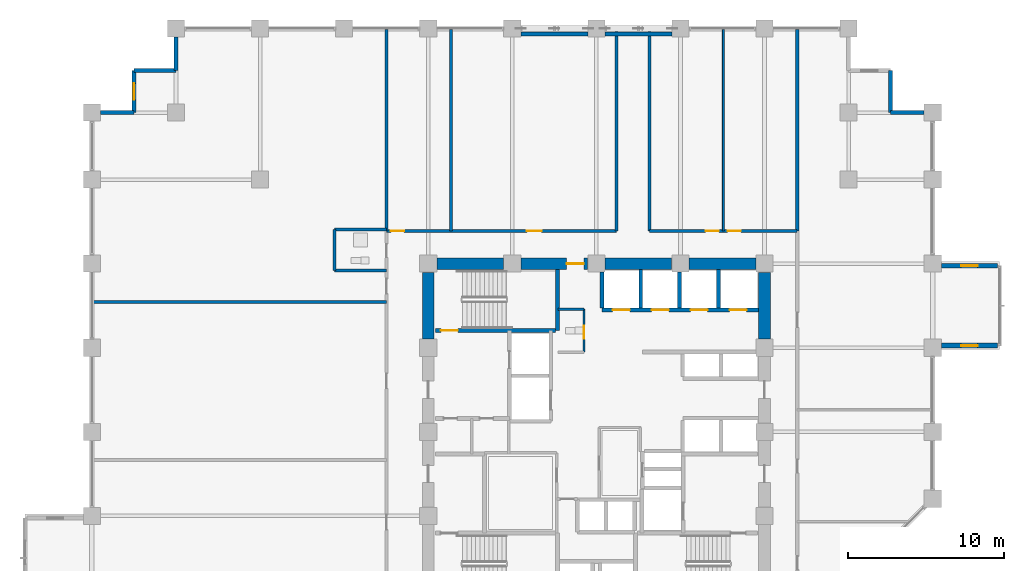
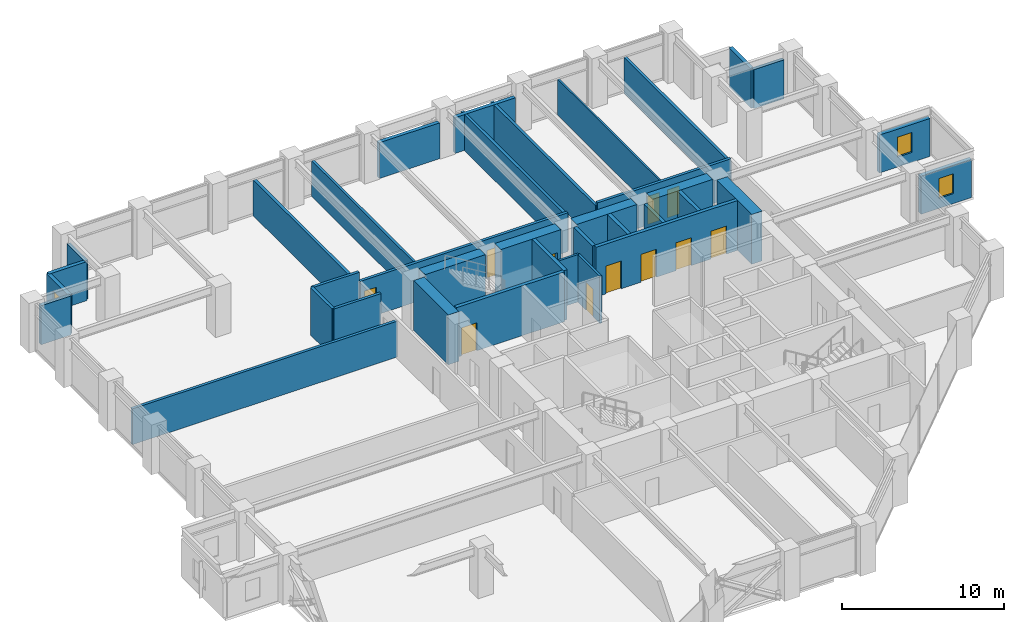
# One storey, part 24 of 29: 37 walls, 11 doors, 3 windows, 14 openings.
"""IFC4 building model written with IfcOpenShell, lengths in metres."""

import ifcopenshell
import ifcopenshell.guid

model = None  # the IFC model being written
_history = None  # IfcOwnerHistory: only IFC2X3 demands one
_inside = {}  # id of a spatial element -> (the spatial element, [elements in it])
_under = {}  # id of a project, library or spatial element -> (it, [spatial elements below it])
_declared = {}  # id of a project -> (the project, [libraries it declares])
_typed = {}  # id of a type object -> (the type object, [elements of that type])
_made_of = {}  # id of a material, layer set ... -> (it, [elements and type objects made of it])


def new_model(schema):
    """Start an empty IFC model of exactly this schema.

    Asked for "IFC4X3", IfcOpenShell would pick the latest addendum, in which some entities
    have other attributes; the version numbers below select the first issue.
    IFC2X3 requires an IfcOwnerHistory on every rooted entity: one is made here for all.
    """
    global model, _history
    if schema == "IFC4X3":
        model = ifcopenshell.file(schema_version=(4, 3, 0, 0))
    else:
        model = ifcopenshell.file(schema=schema)
    _inside.clear()
    _under.clear()
    _declared.clear()
    _typed.clear()
    _made_of.clear()
    _history = None
    if model.schema == "IFC2X3":
        org = make("IfcOrganization", Name="unknown")
        user = make(
            "IfcPersonAndOrganization",
            ThePerson=make("IfcPerson", FamilyName="unknown"),
            TheOrganization=org,
        )
        app = make(
            "IfcApplication",
            ApplicationDeveloper=org,
            Version="unknown",
            ApplicationFullName="unknown",
            ApplicationIdentifier="unknown",
        )
        _history = make(
            "IfcOwnerHistory",
            OwningUser=user,
            OwningApplication=app,
            ChangeAction="ADDED",
            CreationDate=0,
        )
    return model


def make(cls, **values):
    """One entity of the class cls with the attributes given. An attribute that is None is left unset."""
    return model.create_entity(
        cls, **{name: value for name, value in values.items() if value is not None}
    )


def rooted(cls, **values):
    """An entity with a GlobalId (a new one), such as an element, a storey or a relation."""
    return make(cls, GlobalId=ifcopenshell.guid.new(), OwnerHistory=_history, **values)


def si_unit(unit_type, name, prefix=None):
    """IfcSIUnit, for example si_unit("LENGTHUNIT", "METRE", prefix="MILLI")."""
    return make("IfcSIUnit", UnitType=unit_type, Prefix=prefix, Name=name)


def assignment(units):
    """IfcUnitAssignment: the units of a project."""
    return None if units is None else make("IfcUnitAssignment", Units=units)


def point(xyz):
    """IfcCartesianPoint."""
    return None if xyz is None else make("IfcCartesianPoint", Coordinates=xyz)


def direction(xyz):
    """IfcDirection."""
    return None if xyz is None else make("IfcDirection", DirectionRatios=xyz)


def frame(location, z_axis=None, x_axis=None):
    """IfcAxis2Placement3D, a coordinate frame: its origin and axes. An axis left out is left unset."""
    return make(
        "IfcAxis2Placement3D",
        Location=point(location),
        Axis=direction(z_axis),
        RefDirection=direction(x_axis),
    )


def frame_2d(location, x_axis=None):
    """IfcAxis2Placement2D, a coordinate frame in the plane: its origin and x axis."""
    return make(
        "IfcAxis2Placement2D", Location=point(location), RefDirection=direction(x_axis)
    )


def origin():
    """The frame at (0, 0, 0) with its axes left unset."""
    return frame((0.0, 0.0, 0.0))


def place(relative_to, where):
    """IfcLocalPlacement: puts the frame where relative to a parent placement (None: the world)."""
    return make(
        "IfcLocalPlacement", PlacementRelTo=relative_to, RelativePlacement=where
    )


def context(
    kind, dimensions, precision=None, world=None, true_north=None, identifier=None
):
    """IfcGeometricRepresentationContext, for example the 3D "Model" context."""
    return make(
        "IfcGeometricRepresentationContext",
        ContextIdentifier=identifier,
        ContextType=kind,
        CoordinateSpaceDimension=dimensions,
        Precision=precision,
        WorldCoordinateSystem=world,
        TrueNorth=true_north,
    )


def subcontext(parent, identifier, kind, view, scale=None):
    """IfcGeometricRepresentationSubContext, for example "Body" below "Model"."""
    return make(
        "IfcGeometricRepresentationSubContext",
        ContextIdentifier=identifier,
        ContextType=kind,
        ParentContext=parent,
        TargetScale=scale,
        TargetView=view,
    )


def project(units=None, contexts=None):
    """IfcProject with its units and contexts."""
    return rooted(
        "IfcProject",
        Name="project",
        RepresentationContexts=contexts,
        UnitsInContext=assignment(units),
    )


def spatial(cls, under=None, at=None, **own):
    """A site, building, storey or space (cls), placed at a placement, below another one or the project."""
    s = rooted(cls, ObjectPlacement=at, **own)
    if under is not None:
        _under.setdefault(under.id(), (under, []))[1].append(s)
    return s


def profile(cls, at=None, kind="AREA", **sizes):
    """A parametric profile (cls). Its sizes go by their IFC names, for example OverallWidth=200.0."""
    return make(cls, ProfileType=kind, Position=at, **sizes)


def rectangle(**sizes):
    """IfcRectangleProfileDef."""
    return profile("IfcRectangleProfileDef", **sizes)


def extrude(swept, where, along, depth):
    """IfcExtrudedAreaSolid: the profile swept, set in the frame where, extruded along a direction by depth."""
    return make(
        "IfcExtrudedAreaSolid",
        SweptArea=swept,
        Position=where,
        ExtrudedDirection=direction(along),
        Depth=depth,
    )


def shape(context_of_items, identifier, shape_type, items):
    """IfcShapeRepresentation: the items that make up one representation, for example the "Body"."""
    return make(
        "IfcShapeRepresentation",
        ContextOfItems=context_of_items,
        RepresentationIdentifier=identifier,
        RepresentationType=shape_type,
        Items=items,
    )


def material(Name=None, Category=None):
    """IfcMaterial."""
    return make("IfcMaterial", Name=Name, Category=Category)


def layer(
    of_material, thickness, ventilated=None, Name=None, Category=None, Priority=None
):
    """IfcMaterialLayer: one layer of a wall or slab, of a material (None: an air gap)."""
    return make(
        "IfcMaterialLayer",
        Material=of_material,
        LayerThickness=thickness,
        IsVentilated=ventilated,
        Name=Name,
        Category=Category,
        Priority=Priority,
    )


def layer_set(layers, Name=None):
    """IfcMaterialLayerSet."""
    return make("IfcMaterialLayerSet", MaterialLayers=layers, LayerSetName=Name)


def made_of(thing, what):
    """Note that an element or type object is made of a material, layer set ...; save() writes the relation."""
    if what is not None:
        _made_of.setdefault(what.id(), (what, []))[1].append(thing)
    return thing


def type_object(cls, material=None, **own):
    """A type object (cls), such as IfcWallType, which elements share."""
    return made_of(rooted(cls, **own), material)


def element(
    cls,
    number,
    at=None,
    inside=None,
    cuts=None,
    type_object=None,
    material=None,
    context=None,
    identifier="Body",
    shape_type=None,
    held_by="IfcProductDefinitionShape",
    body=None,
    shapes=None,
    **own,
):
    """One element of the class cls, such as IfcWall. Its Tag is "e" and its number.

    at: its placement. inside: the storey or other place that contains it. cuts: it is an
    opening in that element (IfcRelVoidsElement). A single representation is given by context,
    identifier, shape_type and body (its items); several are given by shapes. held_by: the class
    of the entity that holds the representations. save() writes the other relations.
    """
    e = rooted(cls, Tag="e%d" % number, ObjectPlacement=at, **own)
    if body is not None:
        shapes = [shape(context, identifier, shape_type, body)]
    if shapes is not None:
        e.Representation = make(held_by, Representations=shapes)
    if inside is not None:
        _inside.setdefault(inside.id(), (inside, []))[1].append(e)
    if cuts is not None:
        rooted(
            "IfcRelVoidsElement", RelatingBuildingElement=cuts, RelatedOpeningElement=e
        )
    if type_object is not None:
        _typed.setdefault(type_object.id(), (type_object, []))[1].append(e)
    return made_of(e, material)


def fill(opening, filler):
    """IfcRelFillsElement: the door or window that sits in an opening."""
    return rooted(
        "IfcRelFillsElement",
        RelatingOpeningElement=opening,
        RelatedBuildingElement=filler,
    )


def aggregate(whole, parts):
    """IfcRelAggregates: a whole, such as a stair, and the parts it consists of."""
    return rooted("IfcRelAggregates", RelatingObject=whole, RelatedObjects=parts)


def save(model, path):
    """Write the relations noted so far, then the file.

    IfcRelAggregates (storeys below a building ...), IfcRelContainedInSpatialStructure (elements
    in a storey), IfcRelDefinesByType, IfcRelAssociatesMaterial and IfcRelDeclares: one each for
    every whole, place, type object, material and project.
    """
    for whole, parts in _under.values():
        aggregate(whole, parts)
    for where, things in _inside.values():
        rooted(
            "IfcRelContainedInSpatialStructure",
            RelatedElements=things,
            RelatingStructure=where,
        )
    for kind, things in _typed.values():
        rooted("IfcRelDefinesByType", RelatedObjects=things, RelatingType=kind)
    for what, things in _made_of.values():
        rooted("IfcRelAssociatesMaterial", RelatedObjects=things, RelatingMaterial=what)
    for by, libraries in _declared.values():
        rooted("IfcRelDeclares", RelatingContext=by, RelatedDefinitions=libraries)
    model.write(path)


model = new_model("IFC4")

# Units and contexts
model_context = context("Model", 3, precision=1e-05, world=origin(), true_north=direction((0.0, 1.0)))
body_context = subcontext(model_context, "Body", "Model", "MODEL_VIEW")
ifc_project = project(units=[si_unit("LENGTHUNIT", "METRE"), si_unit("AREAUNIT", "SQUARE_METRE"), si_unit("VOLUMEUNIT", "CUBIC_METRE"), si_unit("PLANEANGLEUNIT", "RADIAN"), si_unit("MASSUNIT", "GRAM", prefix="KILO")], contexts=[model_context])

# Site, building, storey
site_placement = place(None, origin())
site = spatial("IfcSite", under=ifc_project, at=site_placement, CompositionType="ELEMENT")
building_placement = place(site_placement, origin())
building = spatial("IfcBuilding", under=site, at=building_placement, Name="Surkhivell Harbour Commons", CompositionType="ELEMENT")
storey_placement = place(building_placement, frame((0.0, 0.0, 87.0)))
storey = spatial("IfcBuildingStorey", under=building, at=storey_placement, Name="L22", CompositionType="ELEMENT", Elevation=87.0)

# Wall
ifc_material_1 = material(Name="Concrete C60/75", Category="concrete")
ifc_layer_1 = layer(ifc_material_1, 0.75)
ifc_layer_set_1 = layer_set([ifc_layer_1], Name="Concrete C60/75")
wall_type_1 = type_object("IfcWallType", Name="WAL-CORE-750", PredefinedType="SHEAR", material=ifc_layer_set_1)
wall_1_placement = place(storey_placement, frame((-10.239990234375, 10.800048828125, 0.0), z_axis=(0.0, 0.0, 1.0), x_axis=(1.0, 0.0, 0.0)))
element("IfcWall", 1, at=wall_1_placement, inside=storey, type_object=wall_type_1, Name="L22 Core Shear Wall North 1", PredefinedType="SHEAR", context=body_context, shape_type="SweptSolid", body=[
    extrude(rectangle(XDim=4.280029296875, YDim=0.75, at=frame_2d((2.14013671875, 0.0))), origin(), (0.0, 0.0, 1.0), 3.75),
])

# Wall, opening, door
wall_2_placement = place(storey_placement, frame((-4.840087890625, 10.800048828125, 0.0), z_axis=(0.0, 0.0, 1.0), x_axis=(1.0, 0.0, 0.0)))
wall_2 = element("IfcWall", 2, at=wall_2_placement, inside=storey, type_object=wall_type_1, Name="L22 Core Shear Wall North 2", PredefinedType="SHEAR", context=body_context, shape_type="SweptSolid", body=[
    extrude(rectangle(XDim=4.280029296875, YDim=0.75, at=frame_2d((2.14013671875, 0.0))), origin(), (0.0, 0.0, 1.0), 3.75),
])
opening_1_placement = place(wall_2_placement, frame((2.929931640625, 0.0, 0.0)))
opening_1 = element("IfcOpeningElement", 3, at=opening_1_placement, cuts=wall_2, Name="Opening ID-2", PredefinedType="OPENING", context=body_context, shape_type="SweptSolid", body=[
    extrude(rectangle(XDim=1.10009765625, YDim=2.10009765625, at=frame_2d((0.550048828125, 1.050048828125))), frame((0.0, 0.385009765625, 0.0), z_axis=(0.0, -1.0, 0.0), x_axis=(1.0, 0.0, 0.0)), (0.0, 0.0, 1.0), 0.77001953125),
])
ifc_material_2 = material(Name="Hardwood-veneered fire-rated door leaf", Category="wood")
door_type_1 = type_object("IfcDoorType", Name="DOR-FD60-1100", OperationType="NOTDEFINED", PredefinedType="DOOR", material=ifc_material_2)
door_1_placement = place(opening_1_placement, origin())
door_1 = element("IfcDoor", 4, at=door_1_placement, inside=storey, type_object=door_type_1, Name="L22 Central Core Lift Hall North Corridor Door", OperationType="SINGLE_SWING_LEFT", OverallHeight=2.10009765625, OverallWidth=1.10009765625, PredefinedType="DOOR", context=body_context, shape_type="SweptSolid", body=[
    extrude(rectangle(XDim=1.10009765625, YDim=2.10009765625, at=frame_2d((0.550048828125, 1.050048828125))), frame((0.0, 0.02490234375, 0.0), z_axis=(0.0, -1.0, 0.0), x_axis=(1.0, 0.0, 0.0)), (0.0, 0.0, 1.0), 0.050048828125),
])
fill(opening_1, door_1)

# Walls
for number, where, z_axis, x_axis, name in (
    (5, (0.56005859375, 10.800048828125, 0.0), (0.0, 0.0, 1.0), (1.0, 0.0, 0.0), "L22 Core Shear Wall North 3"),
    (6, (5.9599609375, 10.800048828125, 0.0), (0.0, 0.0, 1.0), (1.0, 0.0, 0.0), "L22 Core Shear Wall North 4"),
    (7, (-10.800048828125, 5.9599609375, 0.0), (0.0, 0.0, 1.0), (0.0, 1.0, 0.0), "L22 Core Shear Wall West 4"),
    (8, (10.800048828125, 5.9599609375, 0.0), (0.0, 0.0, 1.0), (0.0, 1.0, 0.0), "L22 Core Shear Wall East 4"),
):
    element("IfcWall", number, at=place(storey_placement, frame(where, z_axis=z_axis, x_axis=x_axis)), inside=storey, type_object=wall_type_1, Name=name, PredefinedType="SHEAR", context=body_context, shape_type="SweptSolid", body=[
        extrude(rectangle(XDim=4.280029296875, YDim=0.75, at=frame_2d((2.14013671875, 0.0))), origin(), (0.0, 0.0, 1.0), 3.75),
    ])

# Wall, opening, window
ifc_material_3 = material(Name="Flemish-bond kiln brick and precast concrete C45/55", Category="masonry")
ifc_layer_2 = layer(ifc_material_3, 0.300048828125)
ifc_layer_set_2 = layer_set([ifc_layer_2], Name="Flemish-bond kiln brick and precast concrete C45/55")
wall_type_2 = type_object("IfcWallType", Name="WAL-EXT-BRK300", PredefinedType="STANDARD", material=ifc_layer_set_2)
wall_3_placement = place(storey_placement, frame((22.154052734375, 5.5400390625, 0.0), z_axis=(0.0, 0.0, 1.0), x_axis=(1.0, 0.0, 0.0)))
wall_3 = element("IfcWall", 9, at=wall_3_placement, inside=storey, type_object=wall_type_2, Name="L22 Coloured Box Return Wall 01S", PredefinedType="STANDARD", context=body_context, shape_type="SweptSolid", body=[
    extrude(rectangle(XDim=3.60595703125, YDim=0.300048828125, at=frame_2d((1.802978515625, 0.0))), origin(), (0.0, 0.0, 1.0), 2.85693359375),
])
opening_2_placement = place(wall_3_placement, frame((1.278076171875, 0.0, 0.75)))
opening_2 = element("IfcOpeningElement", 10, at=opening_2_placement, cuts=wall_3, Name="Opening WN-11", PredefinedType="OPENING", context=body_context, shape_type="SweptSolid", body=[
    extrude(rectangle(XDim=1.050048828125, YDim=1.5, at=frame_2d((0.52490234375, 0.75))), frame((0.0, 0.159912109375, 0.0), z_axis=(0.0, -1.0, 0.0), x_axis=(1.0, 0.0, 0.0)), (0.0, 0.0, 1.0), 0.320068359375),
])
ifc_material_4 = material(Name="Thermal-break aluminium frame and double low-E glazing", Category="aluminium")
window_type = type_object("IfcWindowType", Name="WIN-SER-1050x1500", PartitioningType="SINGLE_PANEL", PredefinedType="WINDOW", material=ifc_material_4)
window_1_placement = place(opening_2_placement, origin())
window_1 = element("IfcWindow", 11, at=window_1_placement, inside=storey, type_object=window_type, Name="L22 Coloured Box Return Window 01S", OverallHeight=1.5, OverallWidth=1.050048828125, PartitioningType="SINGLE_PANEL", PredefinedType="WINDOW", context=body_context, shape_type="SweptSolid", body=[
    extrude(rectangle(XDim=1.050048828125, YDim=1.5, at=frame_2d((0.52490234375, 0.75))), frame((0.0, 0.030029296875, 0.0), z_axis=(0.0, -1.0, 0.0), x_axis=(1.0, 0.0, 0.0)), (0.0, 0.0, 1.0), 0.06005859375),
])
fill(opening_2, window_1)

wall_4_placement = place(storey_placement, frame((22.154052734375, 10.659912109375, 0.0), z_axis=(0.0, 0.0, 1.0), x_axis=(1.0, 0.0, 0.0)))
wall_4 = element("IfcWall", 12, at=wall_4_placement, inside=storey, type_object=wall_type_2, Name="L22 Coloured Box Return Wall 01N", PredefinedType="STANDARD", context=body_context, shape_type="SweptSolid", body=[
    extrude(rectangle(XDim=3.60595703125, YDim=0.300048828125, at=frame_2d((1.802978515625, 0.0))), origin(), (0.0, 0.0, 1.0), 2.85693359375),
])
opening_3_placement = place(wall_4_placement, frame((1.278076171875, 0.0, 0.75)))
opening_3 = element("IfcOpeningElement", 13, at=opening_3_placement, cuts=wall_4, Name="Opening WN-11", PredefinedType="OPENING", context=body_context, shape_type="SweptSolid", body=[
    extrude(rectangle(XDim=1.050048828125, YDim=1.5, at=frame_2d((0.52490234375, 0.75))), frame((0.0, 0.159912109375, 0.0), z_axis=(0.0, -1.0, 0.0), x_axis=(1.0, 0.0, 0.0)), (0.0, 0.0, 1.0), 0.320068359375),
])
window_2_placement = place(opening_3_placement, origin())
window_2 = element("IfcWindow", 14, at=window_2_placement, inside=storey, type_object=window_type, Name="L22 Coloured Box Return Window 01N", OverallHeight=1.5, OverallWidth=1.050048828125, PartitioningType="SINGLE_PANEL", PredefinedType="WINDOW", context=body_context, shape_type="SweptSolid", body=[
    extrude(rectangle(XDim=1.050048828125, YDim=1.5, at=frame_2d((0.52490234375, 0.75))), frame((0.0, 0.030029296875, 0.0), z_axis=(0.0, -1.0, 0.0), x_axis=(1.0, 0.0, 0.0)), (0.0, 0.0, 1.0), 0.06005859375),
])
fill(opening_3, window_2)

# Walls
ifc_material_5 = material(Name="Pale-metal insulated precast concrete C45/55", Category="concrete")
ifc_layer_3 = layer(ifc_material_5, 0.260009765625)
ifc_layer_set_3 = layer_set([ifc_layer_3], Name="Pale-metal insulated precast concrete C45/55")
wall_type_3 = type_object("IfcWallType", Name="WAL-EXT-MTL260", PredefinedType="STANDARD", material=ifc_layer_set_3)
wall_5_placement = place(storey_placement, frame((21.052001953125, 20.5, 0.0), z_axis=(0.0, 0.0, 1.0), x_axis=(-1.0, 0.0, 0.0)))
element("IfcWall", 15, at=wall_5_placement, inside=storey, type_object=wall_type_3, Name="L22 Serrated Corner Facade Wall 03", PredefinedType="STANDARD", context=body_context, shape_type="SweptSolid", body=[
    extrude(rectangle(XDim=2.152099609375, YDim=0.260009765625, at=frame_2d((1.076171875, 0.0))), origin(), (0.0, 0.0, 1.0), 2.93310546875),
])
wall_6_placement = place(storey_placement, frame((18.89990234375, 20.5, 0.0), z_axis=(0.0, 0.0, 1.0), x_axis=(0.0, 1.0, 0.0)))
element("IfcWall", 16, at=wall_6_placement, inside=storey, type_object=wall_type_3, Name="L22 Serrated Corner Facade Wall 04", PredefinedType="STANDARD", context=body_context, shape_type="SweptSolid", body=[
    extrude(rectangle(XDim=2.699951171875, YDim=0.260009765625, at=frame_2d((1.35009765625, 0.0))), origin(), (0.0, 0.0, 1.0), 2.93310546875),
])
for number, where, z_axis, x_axis, name in (
    (17, (-0.548095703125, 25.5400390625, 0.0), (0.0, 0.0, 1.0), (-1.0, 0.0, 0.0), "L22 Braced-Bay Insulated Spandrel Backing N"),
    (18, (4.85205078125, 25.5400390625, 0.0), (0.0, 0.0, 1.0), (-1.0, 0.0, 0.0), "L22 Braced-Bay Insulated Spandrel Backing N2"),
):
    element("IfcWall", number, at=place(storey_placement, frame(where, z_axis=z_axis, x_axis=x_axis)), inside=storey, type_object=wall_type_3, Name=name, PredefinedType="STANDARD", context=body_context, shape_type="SweptSolid", body=[
        extrude(rectangle(XDim=4.303955078125, YDim=0.260009765625, at=frame_2d((2.15185546875, 0.0))), origin(), (0.0, 0.0, 1.0), 2.698974609375),
    ])
wall_7_placement = place(storey_placement, frame((-27.0, 25.35205078125, 0.0), z_axis=(0.0, 0.0, 1.0), x_axis=(0.0, -1.0, 0.0)))
element("IfcWall", 19, at=wall_7_placement, inside=storey, type_object=wall_type_3, Name="L22 Serrated Corner Facade Wall 08", PredefinedType="STANDARD", context=body_context, shape_type="SweptSolid", body=[
    extrude(rectangle(XDim=2.152099609375, YDim=0.260009765625, at=frame_2d((1.076171875, 0.0))), origin(), (0.0, 0.0, 1.0), 2.93310546875),
])
wall_8_placement = place(storey_placement, frame((-27.0, 23.199951171875, 0.0), z_axis=(0.0, 0.0, 1.0), x_axis=(-1.0, 0.0, 0.0)))
element("IfcWall", 20, at=wall_8_placement, inside=storey, type_object=wall_type_3, Name="L22 Serrated Corner Facade Wall 09", PredefinedType="STANDARD", context=body_context, shape_type="SweptSolid", body=[
    extrude(rectangle(XDim=2.699951171875, YDim=0.260009765625, at=frame_2d((1.35009765625, 0.0))), origin(), (0.0, 0.0, 1.0), 2.93310546875),
])

# Wall, opening, window
wall_9_placement = place(storey_placement, frame((-29.699951171875, 23.199951171875, 0.0), z_axis=(0.0, 0.0, 1.0), x_axis=(0.0, -1.0, 0.0)))
wall_9 = element("IfcWall", 21, at=wall_9_placement, inside=storey, type_object=wall_type_3, Name="L22 Serrated Corner Facade Wall 10", PredefinedType="STANDARD", context=body_context, shape_type="SweptSolid", body=[
    extrude(rectangle(XDim=2.699951171875, YDim=0.260009765625, at=frame_2d((1.35009765625, 0.0))), origin(), (0.0, 0.0, 1.0), 2.93310546875),
])
opening_4_placement = place(wall_9_placement, frame((0.824951171875, 0.0, 0.64990234375)))
opening_4 = element("IfcOpeningElement", 22, at=opening_4_placement, cuts=wall_9, Name="Opening WN-11", PredefinedType="OPENING", context=body_context, shape_type="SweptSolid", body=[
    extrude(rectangle(XDim=1.050048828125, YDim=1.5, at=frame_2d((0.52490234375, 0.75))), frame((0.0, 0.139892578125, 0.0), z_axis=(0.0, -1.0, 0.0), x_axis=(1.0, 0.0, 0.0)), (0.0, 0.0, 1.0), 0.280029296875),
])
window_3_placement = place(opening_4_placement, origin())
window_3 = element("IfcWindow", 23, at=window_3_placement, inside=storey, type_object=window_type, Name="L22 Serrated Alcove Window 10", OverallHeight=1.5, OverallWidth=1.050048828125, PartitioningType="SINGLE_PANEL", PredefinedType="WINDOW", context=body_context, shape_type="SweptSolid", body=[
    extrude(rectangle(XDim=1.050048828125, YDim=1.5, at=frame_2d((0.52490234375, 0.75))), frame((0.0, 0.030029296875, 0.0), z_axis=(0.0, -1.0, 0.0), x_axis=(1.0, 0.0, 0.0)), (0.0, 0.0, 1.0), 0.06005859375),
])
fill(opening_4, window_3)

# Walls
wall_10_placement = place(storey_placement, frame((-29.699951171875, 20.5, 0.0), z_axis=(0.0, 0.0, 1.0), x_axis=(-1.0, 0.0, 0.0)))
element("IfcWall", 24, at=wall_10_placement, inside=storey, type_object=wall_type_3, Name="L22 Serrated Corner Facade Wall 11", PredefinedType="STANDARD", context=body_context, shape_type="SweptSolid", body=[
    extrude(rectangle(XDim=2.152099609375, YDim=0.260009765625, at=frame_2d((1.076171875, 0.0))), origin(), (0.0, 0.0, 1.0), 2.93310546875),
])
ifc_material_6 = material(Name="Moisture-resistant acoustic stud partition", Category="other")
ifc_layer_4 = layer(ifc_material_6, 0.125)
ifc_layer_set_4 = layer_set([ifc_layer_4], Name="Moisture-resistant acoustic stud partition")
wall_type_4 = type_object("IfcWallType", Name="WAL-INT-125", PredefinedType="PARTITIONING", material=ifc_layer_set_4)
wall_11_placement = place(storey_placement, frame((8.14990234375, 12.89990234375, 0.0), z_axis=(0.0, 0.0, 1.0), x_axis=(0.0, 1.0, 0.0)))
element("IfcWall", 25, at=wall_11_placement, inside=storey, type_object=wall_type_4, Name="L22 North-East Partition P1", PredefinedType="PARTITIONING", context=body_context, shape_type="SweptSolid", body=[
    extrude(rectangle(XDim=12.940185546875, YDim=0.125, at=frame_2d((6.47021484375, 0.0))), origin(), (0.0, 0.0, 1.0), 2.698974609375),
])

# Wall, opening, door
ifc_material_7 = material(Name="Twin-stud acoustic fireboard partition", Category="other")
ifc_layer_5 = layer(ifc_material_7, 0.14990234375)
ifc_layer_set_5 = layer_set([ifc_layer_5], Name="Twin-stud acoustic fireboard partition")
wall_type_5 = type_object("IfcWallType", Name="WAL-INT-150", PredefinedType="PARTITIONING", material=ifc_layer_set_5)
wall_12_placement = place(storey_placement, frame((-0.800048828125, 5.1201171875, 0.0), z_axis=(0.0, 0.0, 1.0), x_axis=(0.0, 1.0, 0.0)))
wall_12 = element("IfcWall", 26, at=wall_12_placement, inside=storey, type_object=wall_type_5, Name="L22 Core Accessible WC East Wall", PredefinedType="PARTITIONING", context=body_context, shape_type="SweptSolid", body=[
    extrude(rectangle(XDim=2.759765625, YDim=0.14990234375, at=frame_2d((1.3798828125, 0.0))), origin(), (0.0, 0.0, 1.0), 3.570068359375),
])
opening_5_placement = place(wall_12_placement, frame((0.85009765625, 0.0, 0.0)))
opening_5 = element("IfcOpeningElement", 27, at=opening_5_placement, cuts=wall_12, Name="Opening ID-6", PredefinedType="OPENING", context=body_context, shape_type="SweptSolid", body=[
    extrude(rectangle(XDim=0.85009765625, YDim=2.10009765625, at=frame_2d((0.425048828125, 1.050048828125))), frame((0.0, 0.0849609375, 0.0), z_axis=(0.0, -1.0, 0.0), x_axis=(1.0, 0.0, 0.0)), (0.0, 0.0, 1.0), 0.169921875),
])
door_type_2 = type_object("IfcDoorType", Name="DOR-FD30-850", OperationType="NOTDEFINED", PredefinedType="DOOR", material=ifc_material_2)
door_2_placement = place(opening_5_placement, origin())
door_2 = element("IfcDoor", 28, at=door_2_placement, inside=storey, type_object=door_type_2, Name="L22 Floor Accessible WC Door", OperationType="SINGLE_SWING_LEFT", OverallHeight=2.10009765625, OverallWidth=0.85009765625, PredefinedType="DOOR", context=body_context, shape_type="SweptSolid", body=[
    extrude(rectangle(XDim=0.85009765625, YDim=2.10009765625, at=frame_2d((0.425048828125, 1.050048828125))), frame((0.0, 0.02490234375, 0.0), z_axis=(0.0, -1.0, 0.0), x_axis=(1.0, 0.0, 0.0)), (0.0, 0.0, 1.0), 0.050048828125),
])
fill(opening_5, door_2)

# Walls
wall_13_placement = place(storey_placement, frame((-2.47998046875, 7.8798828125, 0.0), z_axis=(0.0, 0.0, 1.0), x_axis=(1.0, 0.0, 0.0)))
element("IfcWall", 29, at=wall_13_placement, inside=storey, type_object=wall_type_5, Name="L22 Core Accessible WC North Wall", PredefinedType="PARTITIONING", context=body_context, shape_type="SweptSolid", body=[
    extrude(rectangle(XDim=1.679931640625, YDim=0.14990234375, at=frame_2d((0.83984375, 0.0))), origin(), (0.0, 0.0, 1.0), 3.570068359375),
])
ifc_material_8 = material(Name="High-density acoustic blockwork fire partition", Category="masonry")
ifc_layer_6 = layer(ifc_material_8, 0.175048828125)
ifc_layer_set_6 = layer_set([ifc_layer_6], Name="High-density acoustic blockwork fire partition")
wall_type_6 = type_object("IfcWallType", Name="WAL-INT-175", PredefinedType="PARTITIONING", material=ifc_layer_set_6)
wall_14_placement = place(storey_placement, frame((-9.340087890625, 12.89990234375, 0.0), z_axis=(0.0, 0.0, 1.0), x_axis=(0.0, 1.0, 0.0)))
element("IfcWall", 30, at=wall_14_placement, inside=storey, type_object=wall_type_6, Name="L22 North-West Partition P1", PredefinedType="PARTITIONING", context=body_context, shape_type="SweptSolid", body=[
    extrude(rectangle(XDim=12.940185546875, YDim=0.175048828125, at=frame_2d((6.47021484375, 0.0))), origin(), (0.0, 0.0, 1.0), 2.698974609375),
])
ifc_material_9 = material(Name="Autoclaved aerated concrete blockwork and fire plaster", Category="masonry")
ifc_layer_7 = layer(ifc_material_9, 0.199951171875)
ifc_layer_set_7 = layer_set([ifc_layer_7], Name="Autoclaved aerated concrete blockwork and fire plaster")
wall_type_7 = type_object("IfcWallType", Name="WAL-INT-200", PredefinedType="PARTITIONING", material=ifc_layer_set_7)
for number, where, z_axis, x_axis, name in (
    (31, (12.89990234375, 12.89990234375, 0.0), (0.0, 0.0, 1.0), (0.0, 1.0, 0.0), "L22 North-East Wing Corner Divider"),
    (32, (-13.47998046875, 12.89990234375, 0.0), (0.0, 0.0, 1.0), (0.0, 1.0, 0.0), "L22 North-West Wing Corner Divider"),
):
    element("IfcWall", number, at=place(storey_placement, frame(where, z_axis=z_axis, x_axis=x_axis)), inside=storey, type_object=wall_type_7, Name=name, PredefinedType="PARTITIONING", context=body_context, shape_type="SweptSolid", body=[
        extrude(rectangle(XDim=12.940185546875, YDim=0.199951171875, at=frame_2d((6.47021484375, 0.0))), origin(), (0.0, 0.0, 1.0), 2.698974609375),
    ])

# Wall, openings, doors
wall_15_placement = place(storey_placement, frame((-13.47998046875, 12.89990234375, 0.0), z_axis=(0.0, 0.0, 1.0), x_axis=(1.0, 0.0, 0.0)))
wall_15 = element("IfcWall", 33, at=wall_15_placement, inside=storey, type_object=wall_type_7, Name="L22 Corridor North-West Wall", PredefinedType="PARTITIONING", context=body_context, shape_type="SweptSolid", body=[
    extrude(rectangle(XDim=14.780029296875, YDim=0.199951171875, at=frame_2d((7.39013671875, 0.0))), origin(), (0.0, 0.0, 1.0), 2.93310546875),
])
opening_6_placement = place(wall_15_placement, frame((0.280029296875, 0.0, 0.0)))
opening_6 = element("IfcOpeningElement", 34, at=opening_6_placement, cuts=wall_15, Name="Opening ID-6", PredefinedType="OPENING", context=body_context, shape_type="SweptSolid", body=[
    extrude(rectangle(XDim=0.85009765625, YDim=2.10009765625, at=frame_2d((0.425048828125, 1.050048828125))), frame((0.0, 0.10986328125, 0.0), z_axis=(0.0, -1.0, 0.0), x_axis=(1.0, 0.0, 0.0)), (0.0, 0.0, 1.0), 0.219970703125),
])
opening_7_placement = place(wall_15_placement, frame((9.010009765625, 0.0, 0.0)))
opening_7 = element("IfcOpeningElement", 35, at=opening_7_placement, cuts=wall_15, Name="Opening ID-4", PredefinedType="OPENING", context=body_context, shape_type="SweptSolid", body=[
    extrude(rectangle(XDim=0.949951171875, YDim=2.10009765625, at=frame_2d((0.47509765625, 1.050048828125))), frame((0.0, 0.10986328125, 0.0), z_axis=(0.0, -1.0, 0.0), x_axis=(1.0, 0.0, 0.0)), (0.0, 0.0, 1.0), 0.219970703125),
])
door_3_placement = place(opening_6_placement, origin())
door_3 = element("IfcDoor", 36, at=door_3_placement, inside=storey, type_object=door_type_2, Name="L22 Shared Communal Kitchen A North-West Door", OperationType="SINGLE_SWING_RIGHT", OverallHeight=2.10009765625, OverallWidth=0.85009765625, PredefinedType="DOOR", context=body_context, shape_type="SweptSolid", body=[
    extrude(rectangle(XDim=0.85009765625, YDim=2.10009765625, at=frame_2d((0.425048828125, 1.050048828125))), frame((0.0, 0.02490234375, 0.0), z_axis=(0.0, -1.0, 0.0), x_axis=(1.0, 0.0, 0.0)), (0.0, 0.0, 1.0), 0.050048828125),
])
fill(opening_6, door_3)
door_type_3 = type_object("IfcDoorType", Name="DOR-FD60-950", OperationType="NOTDEFINED", PredefinedType="DOOR", material=ifc_material_2)
door_4_placement = place(opening_7_placement, origin())
door_4 = element("IfcDoor", 37, at=door_4_placement, inside=storey, type_object=door_type_3, Name="L22 Shared Communal Kitchen B North-West Door", OperationType="SINGLE_SWING_LEFT", OverallHeight=2.10009765625, OverallWidth=0.949951171875, PredefinedType="DOOR", context=body_context, shape_type="SweptSolid", body=[
    extrude(rectangle(XDim=0.949951171875, YDim=2.10009765625, at=frame_2d((0.47509765625, 1.050048828125))), frame((0.0, 0.02490234375, 0.0), z_axis=(0.0, -1.0, 0.0), x_axis=(1.0, 0.0, 0.0)), (0.0, 0.0, 1.0), 0.050048828125),
])
fill(opening_7, door_4)

wall_16_placement = place(storey_placement, frame((3.39990234375, 12.89990234375, 0.0), z_axis=(0.0, 0.0, 1.0), x_axis=(1.0, 0.0, 0.0)))
wall_16 = element("IfcWall", 38, at=wall_16_placement, inside=storey, type_object=wall_type_7, Name="L22 Corridor North-East Wall", PredefinedType="PARTITIONING", context=body_context, shape_type="SweptSolid", body=[
    extrude(rectangle(XDim=9.5, YDim=0.199951171875, at=frame_2d((4.75, 0.0))), origin(), (0.0, 0.0, 1.0), 2.93310546875),
])
opening_8_placement = place(wall_16_placement, frame((3.6201171875, 0.0, 0.0)))
opening_8 = element("IfcOpeningElement", 39, at=opening_8_placement, cuts=wall_16, Name="Opening ID-6", PredefinedType="OPENING", context=body_context, shape_type="SweptSolid", body=[
    extrude(rectangle(XDim=0.85009765625, YDim=2.10009765625, at=frame_2d((0.425048828125, 1.050048828125))), frame((0.0, 0.10986328125, 0.0), z_axis=(0.0, -1.0, 0.0), x_axis=(1.0, 0.0, 0.0)), (0.0, 0.0, 1.0), 0.219970703125),
])
opening_9_placement = place(wall_16_placement, frame((5.030029296875, 0.0, 0.0)))
opening_9 = element("IfcOpeningElement", 40, at=opening_9_placement, cuts=wall_16, Name="Opening ID-6", PredefinedType="OPENING", context=body_context, shape_type="SweptSolid", body=[
    extrude(rectangle(XDim=0.85009765625, YDim=2.10009765625, at=frame_2d((0.425048828125, 1.050048828125))), frame((0.0, 0.10986328125, 0.0), z_axis=(0.0, -1.0, 0.0), x_axis=(1.0, 0.0, 0.0)), (0.0, 0.0, 1.0), 0.219970703125),
])
door_5_placement = place(opening_8_placement, origin())
door_5 = element("IfcDoor", 41, at=door_5_placement, inside=storey, type_object=door_type_2, Name="L22 Campus Co-Op Bookshop North-East Door", OperationType="SINGLE_SWING_RIGHT", OverallHeight=2.10009765625, OverallWidth=0.85009765625, PredefinedType="DOOR", context=body_context, shape_type="SweptSolid", body=[
    extrude(rectangle(XDim=0.85009765625, YDim=2.10009765625, at=frame_2d((0.425048828125, 1.050048828125))), frame((0.0, 0.02490234375, 0.0), z_axis=(0.0, -1.0, 0.0), x_axis=(1.0, 0.0, 0.0)), (0.0, 0.0, 1.0), 0.050048828125),
])
fill(opening_8, door_5)
door_6_placement = place(opening_9_placement, origin())
door_6 = element("IfcDoor", 42, at=door_6_placement, inside=storey, type_object=door_type_2, Name="L22 Harbour Espresso Cafe Shop North-East Door", OperationType="SINGLE_SWING_LEFT", OverallHeight=2.10009765625, OverallWidth=0.85009765625, PredefinedType="DOOR", context=body_context, shape_type="SweptSolid", body=[
    extrude(rectangle(XDim=0.85009765625, YDim=2.10009765625, at=frame_2d((0.425048828125, 1.050048828125))), frame((0.0, 0.02490234375, 0.0), z_axis=(0.0, -1.0, 0.0), x_axis=(1.0, 0.0, 0.0)), (0.0, 0.0, 1.0), 0.050048828125),
])
fill(opening_9, door_6)

# Walls
for number, where, z_axis, x_axis, name in (
    (43, (3.39990234375, 12.89990234375, 0.0), (0.0, 0.0, 1.0), (0.0, 1.0, 0.0), "L22 North Alcove East Wall"),
    (44, (1.300048828125, 12.89990234375, 0.0), (0.0, 0.0, 1.0), (0.0, 1.0, 0.0), "L22 North Alcove West Wall"),
):
    element("IfcWall", number, at=place(storey_placement, frame(where, z_axis=z_axis, x_axis=x_axis)), inside=storey, type_object=wall_type_7, Name=name, PredefinedType="PARTITIONING", context=body_context, shape_type="SweptSolid", body=[
        extrude(rectangle(XDim=12.940185546875, YDim=0.199951171875, at=frame_2d((6.47021484375, 0.0))), origin(), (0.0, 0.0, 1.0), 2.698974609375),
    ])
wall_17_placement = place(storey_placement, frame((-16.830078125, 10.35009765625, 0.0), z_axis=(0.0, 0.0, 1.0), x_axis=(0.0, 1.0, 0.0)))
element("IfcWall", 45, at=wall_17_placement, inside=storey, type_object=wall_type_7, Name="L22 West Partition BTHB", PredefinedType="PARTITIONING", context=body_context, shape_type="SweptSolid", body=[
    extrude(rectangle(XDim=2.64990234375, YDim=0.199951171875, at=frame_2d((1.324951171875, 0.0))), origin(), (0.0, 0.0, 1.0), 3.570068359375),
])
for number, where, z_axis, x_axis, name in (
    (46, (-16.830078125, 13.0, 0.0), (0.0, 0.0, 1.0), (1.0, 0.0, 0.0), "L22 West Partition BTHN"),
    (47, (-16.830078125, 10.35009765625, 0.0), (0.0, 0.0, 1.0), (1.0, 0.0, 0.0), "L22 West Partition BTHS"),
):
    element("IfcWall", number, at=place(storey_placement, frame(where, z_axis=z_axis, x_axis=x_axis)), inside=storey, type_object=wall_type_7, Name=name, PredefinedType="PARTITIONING", context=body_context, shape_type="SweptSolid", body=[
        extrude(rectangle(XDim=3.35009765625, YDim=0.199951171875, at=frame_2d((1.675048828125, 0.0))), origin(), (0.0, 0.0, 1.0), 3.570068359375),
    ])
wall_18_placement = place(storey_placement, frame((-32.340087890625, 8.35009765625, 0.0), z_axis=(0.0, 0.0, 1.0), x_axis=(1.0, 0.0, 0.0)))
element("IfcWall", 48, at=wall_18_placement, inside=storey, type_object=wall_type_7, Name="L22 West Partition PTOP", PredefinedType="PARTITIONING", context=body_context, shape_type="SweptSolid", body=[
    extrude(rectangle(XDim=18.860107421875, YDim=0.199951171875, at=frame_2d((9.43017578125, 0.0))), origin(), (0.0, 0.0, 1.0), 2.698974609375),
])
ifc_material_10 = material(Name="Concrete C50/60", Category="concrete")
ifc_layer_8 = layer(ifc_material_10, 0.25)
ifc_layer_set_8 = layer_set([ifc_layer_8], Name="Concrete C50/60")
wall_type_8 = type_object("IfcWallType", Name="WAL-SHAFT-250", PredefinedType="SHEAR", material=ifc_layer_set_8)
wall_19_placement = place(storey_placement, frame((2.85009765625, 7.93994140625, 0.0), z_axis=(0.0, 0.0, 1.0), x_axis=(0.0, 1.0, 0.0)))
element("IfcWall", 49, at=wall_19_placement, inside=storey, type_object=wall_type_8, Name="L22 Low-Rise Hoistway Wall", PredefinedType="SHEAR", context=body_context, shape_type="SweptSolid", body=[
    extrude(rectangle(XDim=2.485107421875, YDim=0.25, at=frame_2d((1.24267578125, 0.0))), origin(), (0.0, 0.0, 1.0), 3.75),
])
for number, where, z_axis, x_axis, name in (
    (50, (0.35009765625, 7.93994140625, 0.0), (0.0, 0.0, 1.0), (0.0, 1.0, 0.0), "L22 Low-Rise Hoistway Wall"),
    (51, (5.35009765625, 7.93994140625, 0.0), (0.0, 0.0, 1.0), (0.0, 1.0, 0.0), "L22 Low-Rise Hoistway Wall"),
):
    element("IfcWall", number, at=place(storey_placement, frame(where, z_axis=z_axis, x_axis=x_axis)), inside=storey, type_object=wall_type_8, Name=name, PredefinedType="SHEAR", context=body_context, shape_type="SweptSolid", body=[
        extrude(rectangle(XDim=2.31005859375, YDim=0.25, at=frame_2d((1.155029296875, 0.0))), origin(), (0.0, 0.0, 1.0), 3.75),
    ])
wall_20_placement = place(storey_placement, frame((7.85009765625, 7.93994140625, 0.0), z_axis=(0.0, 0.0, 1.0), x_axis=(0.0, 1.0, 0.0)))
element("IfcWall", 52, at=wall_20_placement, inside=storey, type_object=wall_type_8, Name="L22 Low-Rise Hoistway Wall", PredefinedType="SHEAR", context=body_context, shape_type="SweptSolid", body=[
    extrude(rectangle(XDim=2.485107421875, YDim=0.25, at=frame_2d((1.24267578125, 0.0))), origin(), (0.0, 0.0, 1.0), 3.75),
])

# Wall, openings, doors
wall_21_placement = place(storey_placement, frame((0.35009765625, 7.820068359375, 0.0), z_axis=(0.0, 0.0, 1.0), x_axis=(1.0, 0.0, 0.0)))
wall_21 = element("IfcWall", 53, at=wall_21_placement, inside=storey, type_object=wall_type_8, Name="L22 Low-Rise Lift Front Shaft Wall", PredefinedType="SHEAR", context=body_context, shape_type="SweptSolid", body=[
    extrude(rectangle(XDim=10.074951171875, YDim=0.25, at=frame_2d((5.03759765625, 0.0))), origin(), (0.0, 0.0, 1.0), 3.75),
])
opening_10_placement = place(wall_21_placement, frame((0.699951171875, 0.0, 0.0)))
opening_10 = element("IfcOpeningElement", 54, at=opening_10_placement, cuts=wall_21, Name="Opening LD-1", PredefinedType="OPENING", context=body_context, shape_type="SweptSolid", body=[
    extrude(rectangle(XDim=1.10009765625, YDim=2.10009765625, at=frame_2d((0.550048828125, 1.050048828125))), frame((0.0, 0.135009765625, 0.0), z_axis=(0.0, -1.0, 0.0), x_axis=(1.0, 0.0, 0.0)), (0.0, 0.0, 1.0), 0.27001953125),
])
opening_11_placement = place(wall_21_placement, frame((3.199951171875, 0.0, 0.0)))
opening_11 = element("IfcOpeningElement", 55, at=opening_11_placement, cuts=wall_21, Name="Opening LD-1", PredefinedType="OPENING", context=body_context, shape_type="SweptSolid", body=[
    extrude(rectangle(XDim=1.10009765625, YDim=2.10009765625, at=frame_2d((0.550048828125, 1.050048828125))), frame((0.0, 0.135009765625, 0.0), z_axis=(0.0, -1.0, 0.0), x_axis=(1.0, 0.0, 0.0)), (0.0, 0.0, 1.0), 0.27001953125),
])
opening_12_placement = place(wall_21_placement, frame((5.699951171875, 0.0, 0.0)))
opening_12 = element("IfcOpeningElement", 56, at=opening_12_placement, cuts=wall_21, Name="Opening LD-1", PredefinedType="OPENING", context=body_context, shape_type="SweptSolid", body=[
    extrude(rectangle(XDim=1.10009765625, YDim=2.10009765625, at=frame_2d((0.550048828125, 1.050048828125))), frame((0.0, 0.135009765625, 0.0), z_axis=(0.0, -1.0, 0.0), x_axis=(1.0, 0.0, 0.0)), (0.0, 0.0, 1.0), 0.27001953125),
])
opening_13_placement = place(wall_21_placement, frame((8.199951171875, 0.0, 0.0)))
opening_13 = element("IfcOpeningElement", 57, at=opening_13_placement, cuts=wall_21, Name="Opening LD-1", PredefinedType="OPENING", context=body_context, shape_type="SweptSolid", body=[
    extrude(rectangle(XDim=1.10009765625, YDim=2.10009765625, at=frame_2d((0.550048828125, 1.050048828125))), frame((0.0, 0.135009765625, 0.0), z_axis=(0.0, -1.0, 0.0), x_axis=(1.0, 0.0, 0.0)), (0.0, 0.0, 1.0), 0.27001953125),
])
ifc_material_11 = material(Name="Brushed stainless steel S355", Category="steel")
door_type_4 = type_object("IfcDoorType", Name="DOR-LD-1100", OperationType="SLIDING_TO_LEFT", PredefinedType="DOOR", material=ifc_material_11)
door_7_placement = place(opening_10_placement, origin())
door_7 = element("IfcDoor", 58, at=door_7_placement, inside=storey, type_object=door_type_4, Name="L22 Lift Landing Door LD-PL1", OperationType="SLIDING_TO_LEFT", OverallHeight=2.10009765625, OverallWidth=1.10009765625, PredefinedType="DOOR", context=body_context, shape_type="SweptSolid", body=[
    extrude(rectangle(XDim=1.10009765625, YDim=2.10009765625, at=frame_2d((0.550048828125, 1.050048828125))), frame((0.0, 0.02490234375, 0.0), z_axis=(0.0, -1.0, 0.0), x_axis=(1.0, 0.0, 0.0)), (0.0, 0.0, 1.0), 0.050048828125),
])
fill(opening_10, door_7)
door_8_placement = place(opening_11_placement, origin())
door_8 = element("IfcDoor", 59, at=door_8_placement, inside=storey, type_object=door_type_4, Name="L22 Lift Landing Door LD-PL2", OperationType="SLIDING_TO_LEFT", OverallHeight=2.10009765625, OverallWidth=1.10009765625, PredefinedType="DOOR", context=body_context, shape_type="SweptSolid", body=[
    extrude(rectangle(XDim=1.10009765625, YDim=2.10009765625, at=frame_2d((0.550048828125, 1.050048828125))), frame((0.0, 0.02490234375, 0.0), z_axis=(0.0, -1.0, 0.0), x_axis=(1.0, 0.0, 0.0)), (0.0, 0.0, 1.0), 0.050048828125),
])
fill(opening_11, door_8)
door_9_placement = place(opening_12_placement, origin())
door_9 = element("IfcDoor", 60, at=door_9_placement, inside=storey, type_object=door_type_4, Name="L22 Lift Landing Door LD-PL3", OperationType="SLIDING_TO_LEFT", OverallHeight=2.10009765625, OverallWidth=1.10009765625, PredefinedType="DOOR", context=body_context, shape_type="SweptSolid", body=[
    extrude(rectangle(XDim=1.10009765625, YDim=2.10009765625, at=frame_2d((0.550048828125, 1.050048828125))), frame((0.0, 0.02490234375, 0.0), z_axis=(0.0, -1.0, 0.0), x_axis=(1.0, 0.0, 0.0)), (0.0, 0.0, 1.0), 0.050048828125),
])
fill(opening_12, door_9)
door_10_placement = place(opening_13_placement, origin())
door_10 = element("IfcDoor", 61, at=door_10_placement, inside=storey, type_object=door_type_4, Name="L22 Lift Landing Door LD-PL4", OperationType="SLIDING_TO_LEFT", OverallHeight=2.10009765625, OverallWidth=1.10009765625, PredefinedType="DOOR", context=body_context, shape_type="SweptSolid", body=[
    extrude(rectangle(XDim=1.10009765625, YDim=2.10009765625, at=frame_2d((0.550048828125, 1.050048828125))), frame((0.0, 0.02490234375, 0.0), z_axis=(0.0, -1.0, 0.0), x_axis=(1.0, 0.0, 0.0)), (0.0, 0.0, 1.0), 0.050048828125),
])
fill(opening_13, door_10)

# Wall
wall_22_placement = place(storey_placement, frame((-2.510009765625, 6.510009765625, 0.0), z_axis=(0.0, 0.0, 1.0), x_axis=(0.0, 1.0, 0.0)))
element("IfcWall", 62, at=wall_22_placement, inside=storey, type_object=wall_type_8, Name="L22 Stair ST1 East Shear Wall", PredefinedType="SHEAR", context=body_context, shape_type="SweptSolid", body=[
    extrude(rectangle(XDim=3.9150390625, YDim=0.25, at=frame_2d((1.95751953125, 0.0))), origin(), (0.0, 0.0, 1.0), 3.75),
])

# Wall, opening, door
wall_23_placement = place(storey_placement, frame((-10.340087890625, 6.510009765625, 0.0), z_axis=(0.0, 0.0, 1.0), x_axis=(1.0, 0.0, 0.0)))
wall_23 = element("IfcWall", 63, at=wall_23_placement, inside=storey, type_object=wall_type_8, Name="L22 Stair ST1 South Shear Wall", PredefinedType="SHEAR", context=body_context, shape_type="SweptSolid", body=[
    extrude(rectangle(XDim=7.7001953125, YDim=0.25, at=frame_2d((3.85009765625, 0.0))), origin(), (0.0, 0.0, 1.0), 3.75),
])
opening_14_placement = place(wall_23_placement, frame((0.35009765625, 0.0, 0.0)))
opening_14 = element("IfcOpeningElement", 64, at=opening_14_placement, cuts=wall_23, Name="Opening ID-2", PredefinedType="OPENING", context=body_context, shape_type="SweptSolid", body=[
    extrude(rectangle(XDim=1.10009765625, YDim=2.10009765625, at=frame_2d((0.550048828125, 1.050048828125))), frame((0.0, 0.135009765625, 0.0), z_axis=(0.0, -1.0, 0.0), x_axis=(1.0, 0.0, 0.0)), (0.0, 0.0, 1.0), 0.27001953125),
])
door_11_placement = place(opening_14_placement, origin())
door_11 = element("IfcDoor", 65, at=door_11_placement, inside=storey, type_object=door_type_1, Name="L22 Stair ST1 Exit Door", OperationType="SINGLE_SWING_LEFT", OverallHeight=2.10009765625, OverallWidth=1.10009765625, PredefinedType="DOOR", context=body_context, shape_type="SweptSolid", body=[
    extrude(rectangle(XDim=1.10009765625, YDim=2.10009765625, at=frame_2d((0.550048828125, 1.050048828125))), frame((0.0, 0.02490234375, 0.0), z_axis=(0.0, -1.0, 0.0), x_axis=(1.0, 0.0, 0.0)), (0.0, 0.0, 1.0), 0.050048828125),
])
fill(opening_14, door_11)

save(model, "model.ifc")
